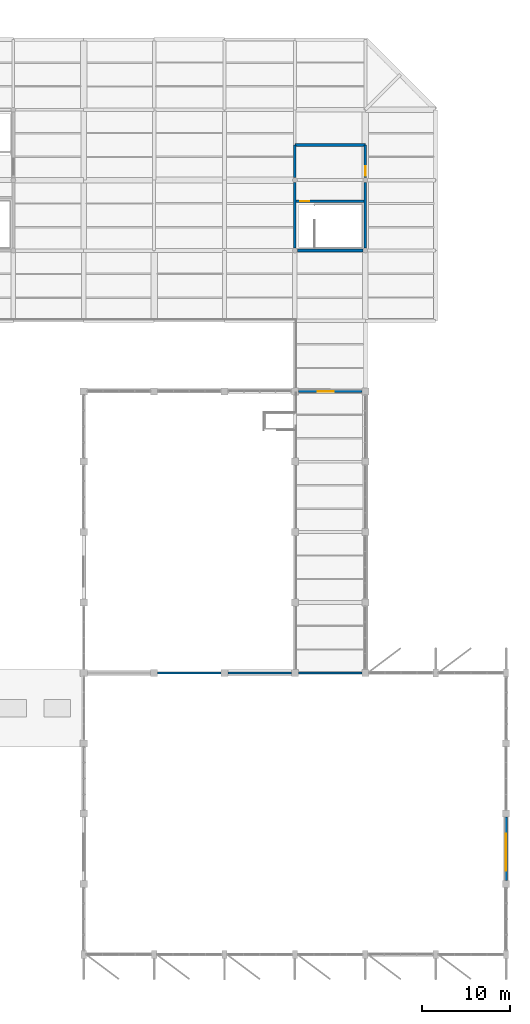
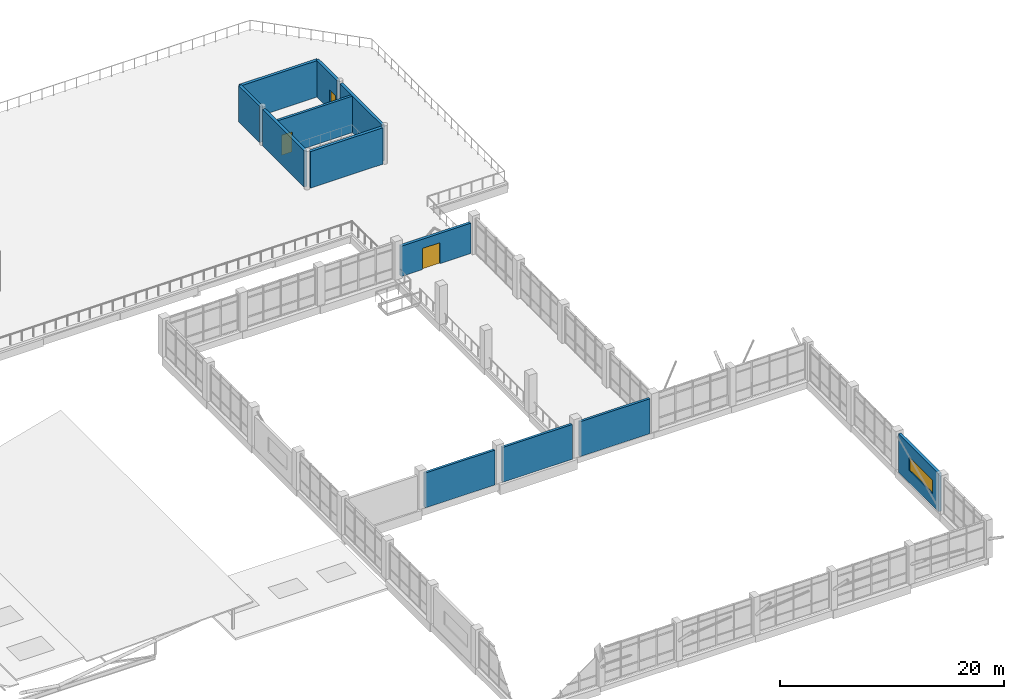
# One storey, part 77 of 84: 12 walls, 3 doors, 1 window, 4 openings.
"""IFC4 building model written with IfcOpenShell, lengths in metres."""

from ifc_helpers import new_model, si_unit, direction, frame, frame_2d, origin, place, context, subcontext, project, spatial, rectangle, extrude, material, layer, layer_set, type_object, element, fill, save


model = new_model("IFC4")

# Units and contexts
model_context = context("Model", 3, precision=1e-05, world=origin(), true_north=direction((0.0, 1.0)))
body_context = subcontext(model_context, "Body", "Model", "MODEL_VIEW")
ifc_project = project(units=[si_unit("LENGTHUNIT", "METRE"), si_unit("AREAUNIT", "SQUARE_METRE"), si_unit("VOLUMEUNIT", "CUBIC_METRE"), si_unit("PLANEANGLEUNIT", "RADIAN"), si_unit("MASSUNIT", "GRAM", prefix="KILO")], contexts=[model_context])

# Site, building, storey
site_placement = place(None, origin())
site = spatial("IfcSite", under=ifc_project, at=site_placement, CompositionType="ELEMENT")
building_placement = place(site_placement, origin())
building = spatial("IfcBuilding", under=site, at=building_placement, Name="Tenunan Teduh Sports Hall", CompositionType="ELEMENT")
storey_placement = place(building_placement, frame((0.0, 0.0, 10.800048828125)))
storey = spatial("IfcBuildingStorey", under=building, at=storey_placement, Name="L02", CompositionType="ELEMENT", Elevation=10.800048828125)

# Wall, opening, door
ifc_material_1 = material(Name="Concrete C40/50", Category="concrete")
ifc_layer_1 = layer(ifc_material_1, 0.25)
ifc_layer_set_1 = layer_set([ifc_layer_1], Name="Concrete C40/50")
wall_type_1 = type_object("IfcWallType", Name="WL-COR-250", PredefinedType="SOLIDWALL", material=ifc_layer_set_1)
wall_1_placement = place(storey_placement, frame((146.14990234375, 99.60009765625, 0.0), z_axis=(0.0, 0.0, 1.0), x_axis=(1.0, 0.0, 0.0)))
wall_1 = element("IfcWall", 1, at=wall_1_placement, inside=storey, type_object=wall_type_1, Name="WL-COR-L02-217", PredefinedType="SOLIDWALL", context=body_context, shape_type="SweptSolid", body=[
    extrude(rectangle(XDim=7.7001953125, YDim=0.25, at=frame_2d((3.85009765625, 0.0))), origin(), (0.0, 0.0, 1.0), 3.97998046875),
])
opening_1_placement = place(wall_1_placement, frame((0.449951171875, 0.0, 0.0)))
opening_1 = element("IfcOpeningElement", 2, at=opening_1_placement, cuts=wall_1, Name="Opening FD-02", PredefinedType="OPENING", context=body_context, shape_type="SweptSolid", body=[
    extrude(rectangle(XDim=1.050048828125, YDim=2.199951171875, at=frame_2d((0.52490234375, 1.10009765625))), frame((0.0, 0.135009765625, 0.0), z_axis=(0.0, -1.0, 0.0), x_axis=(1.0, 0.0, 0.0)), (0.0, 0.0, 1.0), 0.27001953125),
])
ifc_material_2 = material(Name="Fire-rated steel leaf and frame", Category="steel")
door_type_1 = type_object("IfcDoorType", Name="FDR-02", OperationType="SINGLE_SWING_RIGHT", PredefinedType="DOOR", material=ifc_material_2)
door_1_placement = place(opening_1_placement, frame((1.050048828125, 0.0, 0.0), z_axis=(0.0, 0.0, 1.0), x_axis=(-1.0, 0.0, 0.0)))
door_1 = element("IfcDoor", 3, at=door_1_placement, inside=storey, type_object=door_type_1, Name="DR-INT-L02-084", OperationType="SINGLE_SWING_RIGHT", OverallHeight=2.199951171875, OverallWidth=1.050048828125, PredefinedType="DOOR", context=body_context, shape_type="SweptSolid", body=[
    extrude(rectangle(XDim=1.050048828125, YDim=2.199951171875, at=frame_2d((0.52490234375, 1.10009765625))), frame((0.0, 0.02490234375, 0.0), z_axis=(0.0, -1.0, 0.0), x_axis=(1.0, 0.0, 0.0)), (0.0, 0.0, 1.0), 0.050048828125),
])
fill(opening_1, door_1)

# Walls
ifc_material_3 = material(Name="Precast concrete C40/50", Category="concrete")
ifc_layer_2 = layer(ifc_material_3, 0.25)
ifc_layer_set_2 = layer_set([ifc_layer_2], Name="Precast concrete C40/50")
wall_type_2 = type_object("IfcWallType", Name="WL-EXT-250", PredefinedType="SOLIDWALL", material=ifc_layer_set_2)
for number, where, z_axis, x_axis, name in (
    (4, (130.39990234375, 46.0, -0.27001953125), (0.0, 0.0, 1.0), (1.0, 0.0, 0.0), "WL-EXT-L02-073"),
    (5, (138.39990234375, 46.0, -0.27001953125), (0.0, 0.0, 1.0), (1.0, 0.0, 0.0), "WL-EXT-L02-074"),
    (6, (146.39990234375, 46.0, -0.27001953125), (0.0, 0.0, 1.0), (1.0, 0.0, 0.0), "WL-EXT-L02-075"),
):
    element("IfcWall", number, at=place(storey_placement, frame(where, z_axis=z_axis, x_axis=x_axis)), inside=storey, type_object=wall_type_2, Name=name, PredefinedType="SOLIDWALL", context=body_context, shape_type="SweptSolid", body=[
        extrude(rectangle(XDim=7.2001953125, YDim=0.25, at=frame_2d((3.60009765625, 0.0))), origin(), (0.0, 0.0, 1.0), 3.81005859375),
    ])

# Wall, opening, door
ifc_material_4 = material(Name="Concrete C40/50", Category="concrete")
ifc_layer_3 = layer(ifc_material_4, 0.280029296875)
ifc_layer_set_3 = layer_set([ifc_layer_3], Name="Concrete C40/50")
wall_type_3 = type_object("IfcWallType", Name="WL-EXT-280", PredefinedType="SOLIDWALL", material=ifc_layer_set_3)
wall_2_placement = place(storey_placement, frame((146.39990234375, 78.0, 0.0), z_axis=(0.0, 0.0, 1.0), x_axis=(1.0, 0.0, 0.0)))
wall_2 = element("IfcWall", 7, at=wall_2_placement, inside=storey, type_object=wall_type_3, Name="WL-EXT-L02-124", PredefinedType="SOLIDWALL", context=body_context, shape_type="SweptSolid", body=[
    extrude(rectangle(XDim=7.2001953125, YDim=0.280029296875, at=frame_2d((3.60009765625, 0.0))), origin(), (0.0, 0.0, 1.0), 3.31005859375),
])
opening_2_placement = place(wall_2_placement, frame((2.199951171875, 0.0, 0.0)))
opening_2 = element("IfcOpeningElement", 8, at=opening_2_placement, cuts=wall_2, Name="Opening ED-02", PredefinedType="OPENING", context=body_context, shape_type="SweptSolid", body=[
    extrude(rectangle(XDim=1.800048828125, YDim=2.300048828125, at=frame_2d((0.89990234375, 1.14990234375))), frame((0.0, 0.14990234375, 0.0), z_axis=(0.0, -1.0, 0.0), x_axis=(1.0, 0.0, 0.0)), (0.0, 0.0, 1.0), 0.300048828125),
])
ifc_material_5 = material(Name="Powder-coated aluminium and laminated safety glass", Category="aluminium")
door_type_2 = type_object("IfcDoorType", Name="EDR-02", OperationType="DOUBLE_DOOR_SINGLE_SWING", PredefinedType="DOOR", material=ifc_material_5)
door_2_placement = place(opening_2_placement, origin())
door_2 = element("IfcDoor", 9, at=door_2_placement, inside=storey, type_object=door_type_2, Name="DR-EXT-L02-027", OperationType="DOUBLE_DOOR_SINGLE_SWING", OverallHeight=2.300048828125, OverallWidth=1.800048828125, PredefinedType="DOOR", context=body_context, shape_type="SweptSolid", body=[
    extrude(rectangle(XDim=1.800048828125, YDim=2.300048828125, at=frame_2d((0.89990234375, 1.14990234375))), frame((0.0, 0.02490234375, 0.0), z_axis=(0.0, -1.0, 0.0), x_axis=(1.0, 0.0, 0.0)), (0.0, 0.0, 1.0), 0.050048828125),
])
fill(opening_2, door_2)

# Wall, opening, window
ifc_material_6 = material(Name="Concrete C40/50", Category="concrete")
ifc_layer_4 = layer(ifc_material_6, 0.2900390625)
ifc_layer_set_4 = layer_set([ifc_layer_4], Name="Concrete C40/50")
wall_type_4 = type_object("IfcWallType", Name="WL-EXT-290", PredefinedType="SOLIDWALL", material=ifc_layer_set_4)
wall_3_placement = place(storey_placement, frame((170.0, 22.39990234375, -0.27001953125), z_axis=(0.0, 0.0, 1.0), x_axis=(0.0, 1.0, 0.0)))
wall_3 = element("IfcWall", 10, at=wall_3_placement, inside=storey, type_object=wall_type_4, Name="WL-EXT-L02-077", PredefinedType="SOLIDWALL", context=body_context, shape_type="SweptSolid", body=[
    extrude(rectangle(XDim=7.2001953125, YDim=0.2900390625, at=frame_2d((3.60009765625, 0.0))), origin(), (0.0, 0.0, 1.0), 4.18994140625),
])
opening_3_placement = place(wall_3_placement, frame((1.10009765625, 0.0, 1.320068359375)))
opening_3 = element("IfcOpeningElement", 11, at=opening_3_placement, cuts=wall_3, Name="Opening W-06", PredefinedType="OPENING", context=body_context, shape_type="SweptSolid", body=[
    extrude(rectangle(XDim=4.199951171875, YDim=1.5, at=frame_2d((2.10009765625, 0.75))), frame((0.0, 0.155029296875, 0.0), z_axis=(0.0, -1.0, 0.0), x_axis=(1.0, 0.0, 0.0)), (0.0, 0.0, 1.0), 0.31005859375),
])
ifc_material_7 = material(Name="Thermally broken aluminium and Low-E glazing", Category="aluminium")
window_type = type_object("IfcWindowType", Name="WIN-06", PartitioningType="TRIPLE_PANEL_HORIZONTAL", PredefinedType="WINDOW", material=ifc_material_7)
window_placement = place(opening_3_placement, origin())
window = element("IfcWindow", 12, at=window_placement, inside=storey, type_object=window_type, Name="WIN-L02-007", OverallHeight=1.5, OverallWidth=4.199951171875, PartitioningType="SINGLE_PANEL", PredefinedType="WINDOW", context=body_context, shape_type="SweptSolid", body=[
    extrude(rectangle(XDim=4.199951171875, YDim=1.5, at=frame_2d((2.10009765625, 0.75))), frame((0.0, 0.030029296875, 0.0), z_axis=(0.0, -1.0, 0.0), x_axis=(1.0, 0.0, 0.0)), (0.0, 0.0, 1.0), 0.06005859375),
])
fill(opening_3, window)

# Walls
ifc_material_8 = material(Name="Concrete C40/50", Category="concrete")
ifc_layer_5 = layer(ifc_material_8, 0.300048828125)
ifc_layer_set_5 = layer_set([ifc_layer_5], Name="Concrete C40/50")
wall_type_5 = type_object("IfcWallType", Name="WL-SHR-300", PredefinedType="SHEAR", material=ifc_layer_set_5)
wall_4_placement = place(storey_placement, frame((146.27490234375, 94.0, 0.0), z_axis=(0.0, 0.0, 1.0), x_axis=(1.0, 0.0, 0.0)))
element("IfcWall", 13, at=wall_4_placement, inside=storey, type_object=wall_type_5, Name="WL-COR-L02-211", PredefinedType="SHEAR", context=body_context, shape_type="SweptSolid", body=[
    extrude(rectangle(XDim=7.4501953125, YDim=0.300048828125, at=frame_2d((3.72509765625, 0.0))), origin(), (0.0, 0.0, 1.0), 3.97998046875),
])
wall_5_placement = place(storey_placement, frame((146.0, 106.0, 0.0), z_axis=(0.0, 0.0, 1.0), x_axis=(1.0, 0.0, 0.0)))
element("IfcWall", 14, at=wall_5_placement, inside=storey, type_object=wall_type_5, Name="WL-COR-L02-212", PredefinedType="SHEAR", context=body_context, shape_type="SweptSolid", body=[
    extrude(rectangle(XDim=8.0, YDim=0.300048828125, at=frame_2d((4.0, 0.0))), origin(), (0.0, 0.0, 1.0), 3.97998046875),
])
wall_6_placement = place(storey_placement, frame((146.0, 94.27490234375, 0.0), z_axis=(0.0, 0.0, 1.0), x_axis=(0.0, 1.0, 0.0)))
element("IfcWall", 15, at=wall_6_placement, inside=storey, type_object=wall_type_5, Name="WL-COR-L02-213", PredefinedType="SHEAR", context=body_context, shape_type="SweptSolid", body=[
    extrude(rectangle(XDim=7.4501953125, YDim=0.300048828125, at=frame_2d((3.72509765625, 0.0))), origin(), (0.0, 0.0, 1.0), 3.97998046875),
])
wall_7_placement = place(storey_placement, frame((146.0, 102.27490234375, 0.0), z_axis=(0.0, 0.0, 1.0), x_axis=(0.0, 1.0, 0.0)))
element("IfcWall", 16, at=wall_7_placement, inside=storey, type_object=wall_type_5, Name="WL-COR-L02-214", PredefinedType="SHEAR", context=body_context, shape_type="SweptSolid", body=[
    extrude(rectangle(XDim=3.72509765625, YDim=0.300048828125, at=frame_2d((1.862548828125, 0.0))), origin(), (0.0, 0.0, 1.0), 3.97998046875),
])
wall_8_placement = place(storey_placement, frame((154.0, 94.27490234375, 0.0), z_axis=(0.0, 0.0, 1.0), x_axis=(0.0, 1.0, 0.0)))
element("IfcWall", 17, at=wall_8_placement, inside=storey, type_object=wall_type_5, Name="WL-COR-L02-215", PredefinedType="SHEAR", context=body_context, shape_type="SweptSolid", body=[
    extrude(rectangle(XDim=7.4501953125, YDim=0.300048828125, at=frame_2d((3.72509765625, 0.0))), origin(), (0.0, 0.0, 1.0), 3.97998046875),
])

# Wall, opening, door
wall_9_placement = place(storey_placement, frame((154.0, 102.27490234375, 0.0), z_axis=(0.0, 0.0, 1.0), x_axis=(0.0, 1.0, 0.0)))
wall_9 = element("IfcWall", 18, at=wall_9_placement, inside=storey, type_object=wall_type_5, Name="WL-COR-L02-216", PredefinedType="SHEAR", context=body_context, shape_type="SweptSolid", body=[
    extrude(rectangle(XDim=3.72509765625, YDim=0.300048828125, at=frame_2d((1.862548828125, 0.0))), origin(), (0.0, 0.0, 1.0), 3.97998046875),
])
opening_4_placement = place(wall_9_placement, frame((0.25, 0.0, 0.0)))
opening_4 = element("IfcOpeningElement", 19, at=opening_4_placement, cuts=wall_9, Name="Opening FD-02", PredefinedType="OPENING", context=body_context, shape_type="SweptSolid", body=[
    extrude(rectangle(XDim=1.050048828125, YDim=2.199951171875, at=frame_2d((0.52490234375, 1.10009765625))), frame((0.0, 0.159912109375, 0.0), z_axis=(0.0, -1.0, 0.0), x_axis=(1.0, 0.0, 0.0)), (0.0, 0.0, 1.0), 0.320068359375),
])
door_3_placement = place(opening_4_placement, frame((1.050048828125, 0.0, 0.0), z_axis=(0.0, 0.0, 1.0), x_axis=(-1.0, 0.0, 0.0)))
door_3 = element("IfcDoor", 20, at=door_3_placement, inside=storey, type_object=door_type_1, Name="DR-INT-L02-083", OperationType="SINGLE_SWING_LEFT", OverallHeight=2.199951171875, OverallWidth=1.050048828125, PredefinedType="DOOR", context=body_context, shape_type="SweptSolid", body=[
    extrude(rectangle(XDim=1.050048828125, YDim=2.199951171875, at=frame_2d((0.52490234375, 1.10009765625))), frame((0.0, 0.02490234375, 0.0), z_axis=(0.0, -1.0, 0.0), x_axis=(1.0, 0.0, 0.0)), (0.0, 0.0, 1.0), 0.050048828125),
])
fill(opening_4, door_3)

save(model, "model.ifc")
